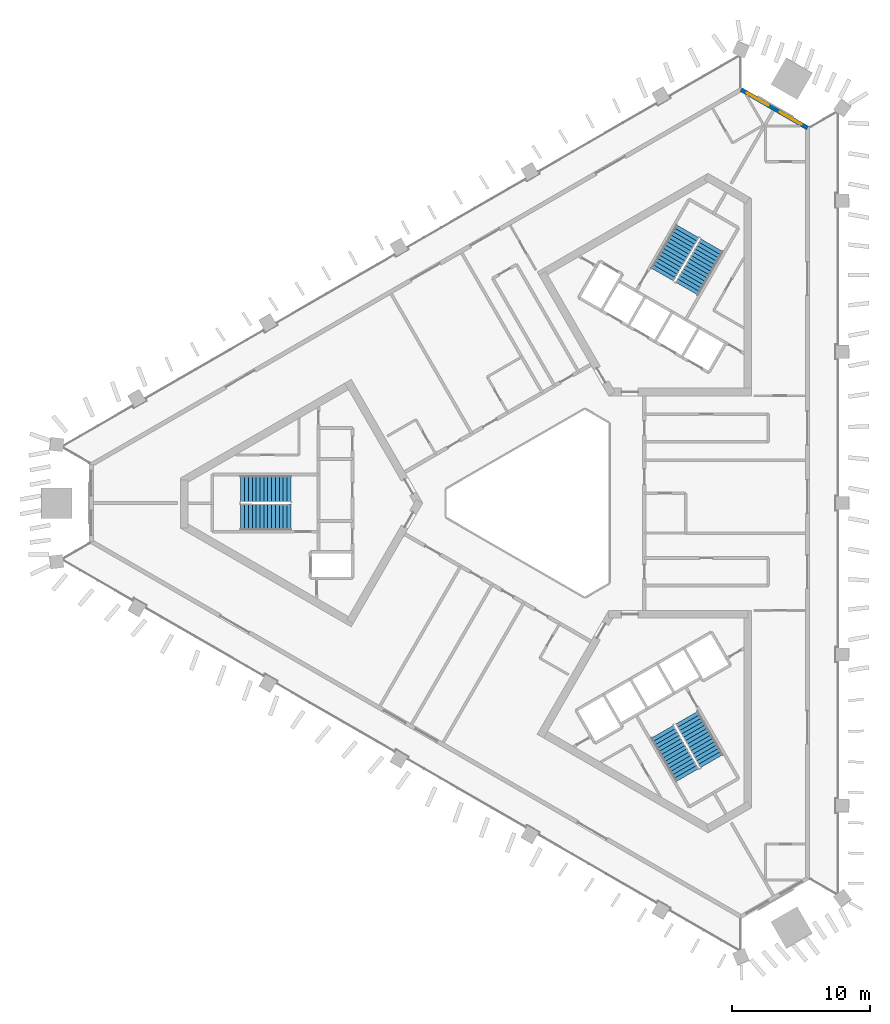
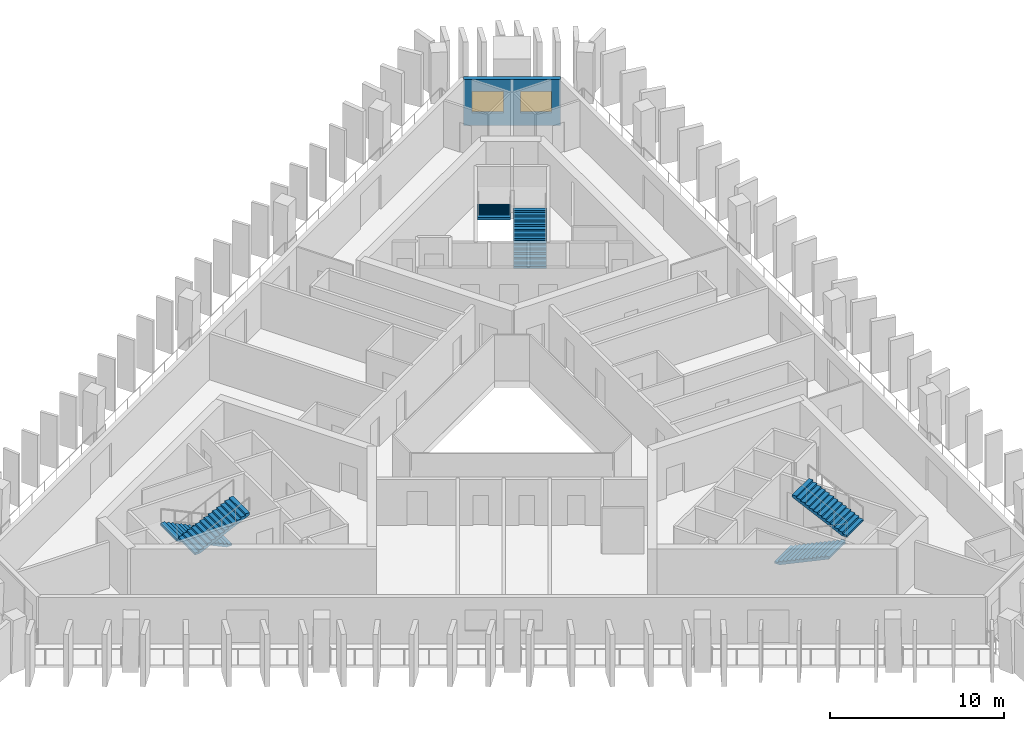
# One storey, part 6 of 10: 6 stair flights, 2 windows, 1 wall, 2 openings, 3 elements without a shape of their own.
"""IFC4 building model written with IfcOpenShell, lengths in metres."""

from ifc_helpers import new_model, si_unit, direction, frame, frame_2d, origin, place, context, subcontext, project, spatial, polyline, rectangle, outline, extrude, material, layer, layer_set, type_object, element, fill, aggregate, save


model = new_model("IFC4")

# Units and contexts
model_context = context("Model", 3, precision=1e-05, world=origin(), true_north=direction((0.0, 1.0)))
body_context = subcontext(model_context, "Body", "Model", "MODEL_VIEW")
ifc_project = project(units=[si_unit("LENGTHUNIT", "METRE"), si_unit("AREAUNIT", "SQUARE_METRE"), si_unit("VOLUMEUNIT", "CUBIC_METRE"), si_unit("PLANEANGLEUNIT", "RADIAN"), si_unit("MASSUNIT", "GRAM", prefix="KILO")], contexts=[model_context])

# Site, building, storey
site_placement = place(None, origin())
site = spatial("IfcSite", under=ifc_project, at=site_placement, CompositionType="ELEMENT")
building_placement = place(site_placement, origin())
building = spatial("IfcBuilding", under=site, at=building_placement, Name="Jabali Bay Hotel Tower and Convention Centre", CompositionType="ELEMENT")
storey_placement = place(building_placement, frame((0.0, 0.0, 156.300048828125)))
storey = spatial("IfcBuildingStorey", under=building, at=storey_placement, Name="L37", CompositionType="ELEMENT", Elevation=156.300048828125)

# Wall, openings, windows
ifc_material_1 = material(Name="Concrete C40", Category="concrete")
ifc_layer = layer(ifc_material_1, 0.300048828125)
ifc_layer_set = layer_set([ifc_layer], Name="Concrete C40")
wall_type = type_object("IfcWallType", Name="External wall 300", PredefinedType="SOLIDWALL", material=ifc_layer_set)
wall_placement = place(storey_placement, frame((89.12158203125, 110.034912109375, 0.0), z_axis=(0.0, 0.0, 1.0), x_axis=(0.866022249214, -0.500005463837, 0.0)))
wall = element("IfcWall", 1, at=wall_placement, inside=storey, type_object=wall_type, Name="External wall north-east chamfer L37", PredefinedType="SOLIDWALL", context=body_context, shape_type="SweptSolid", body=[
    extrude(rectangle(XDim=5.57568359375, YDim=0.300048828125, at=frame_2d((2.787841796875, 0.0))), origin(), (0.0, 0.0, 1.0), 3.25),
])
opening_1_placement = place(wall_placement, frame((3.26513671875, 0.0, 0.89990234375)))
opening_1 = element("IfcOpeningElement", 2, at=opening_1_placement, cuts=wall, Name="Opening W1", PredefinedType="OPENING", context=body_context, shape_type="SweptSolid", body=[
    extrude(rectangle(XDim=1.800048828125, YDim=1.5, at=frame_2d((0.89990234375, 0.75))), frame((0.0, 0.16064453125, 0.0), z_axis=(0.0, -1.0, 0.0), x_axis=(1.0, 0.0, 0.0)), (0.0, 0.0, 1.0), 0.321044921875),
])
opening_2_placement = place(wall_placement, frame((0.487060546875, 0.0, 0.89990234375)))
opening_2 = element("IfcOpeningElement", 3, at=opening_2_placement, cuts=wall, Name="Opening W1", PredefinedType="OPENING", context=body_context, shape_type="SweptSolid", body=[
    extrude(rectangle(XDim=1.800048828125, YDim=1.5, at=frame_2d((0.89990234375, 0.75))), frame((0.0, 0.16064453125, 0.0), z_axis=(0.0, -1.0, 0.0), x_axis=(1.0, 0.0, 0.0)), (0.0, 0.0, 1.0), 0.321044921875),
])
ifc_material_2 = material(Name="Glass", Category="glass")
window_type = type_object("IfcWindowType", Name="Window 1800 x 1500", PartitioningType="SINGLE_PANEL", PredefinedType="WINDOW", material=ifc_material_2)
window_1_placement = place(opening_1_placement, origin())
window_1 = element("IfcWindow", 4, at=window_1_placement, inside=storey, type_object=window_type, Name="Window 3704", OverallHeight=1.5, OverallWidth=1.800048828125, PartitioningType="SINGLE_PANEL", PredefinedType="WINDOW", context=body_context, shape_type="SweptSolid", body=[
    extrude(rectangle(XDim=1.800048828125, YDim=1.5, at=frame_2d((0.89990234375, 0.75))), frame((0.0, 0.030029296875, 0.0), z_axis=(0.0, -1.0, 0.0), x_axis=(1.0, 0.0, 0.0)), (0.0, 0.0, 1.0), 0.06005859375),
])
fill(opening_1, window_1)
window_2_placement = place(opening_2_placement, origin())
window_2 = element("IfcWindow", 5, at=window_2_placement, inside=storey, type_object=window_type, Name="Window 3706", OverallHeight=1.5, OverallWidth=1.800048828125, PartitioningType="SINGLE_PANEL", PredefinedType="WINDOW", context=body_context, shape_type="SweptSolid", body=[
    extrude(rectangle(XDim=1.800048828125, YDim=1.5, at=frame_2d((0.89990234375, 0.75))), frame((0.0, 0.030029296875, 0.0), z_axis=(0.0, -1.0, 0.0), x_axis=(1.0, 0.0, 0.0)), (0.0, 0.0, 1.0), 0.06005859375),
])
fill(opening_2, window_2)

# Stair, stair flights
stair_type = type_object("IfcStairType", Name="Exit stair 1900", PredefinedType="HALF_TURN_STAIR", material=ifc_material_1)
stair_1_placement = place(storey_placement, origin())
stair_1 = element("IfcStair", 6, at=stair_1_placement, inside=storey, type_object=stair_type, Name="L37 Exit Stair 1", PredefinedType="HALF_TURN_STAIR")
stair_flight_type = type_object("IfcStairFlightType", Name="Stair flight concrete 150", PredefinedType="STRAIGHT", material=ifc_material_1)
stair_flight_1_placement = place(storey_placement, frame((56.419921875, 81.02490234375, 0.0), z_axis=(0.0, 0.0, 1.0), x_axis=(-1.0, 0.0, 0.0)))
stair_flight_1 = element("IfcStairFlight", 7, at=stair_flight_1_placement, type_object=stair_flight_type, Name="ST1 flight 1", NumberOfRisers=14, NumberOfTreads=13, PredefinedType="STRAIGHT", RiserHeight=0.132142857, TreadLength=0.28, context=body_context, shape_type="SweptSolid", body=[
    extrude(outline(polyline([(0.0, 0.0), (0.0, 0.132080078125), (0.280029296875, 0.132080078125), (0.280029296875, 0.264404296875), (0.56005859375, 0.264404296875), (0.56005859375, 0.396484375), (0.840087890625, 0.396484375), (0.840087890625, 0.528564453125), (1.1201171875, 0.528564453125), (1.1201171875, 0.66064453125), (1.39990234375, 0.66064453125), (1.39990234375, 0.79296875), (1.679931640625, 0.79296875), (1.679931640625, 0.925048828125), (1.9599609375, 0.925048828125), (1.9599609375, 1.05712890625), (2.239990234375, 1.05712890625), (2.239990234375, 1.189208984375), (2.52001953125, 1.189208984375), (2.52001953125, 1.321533203125), (2.800048828125, 1.321533203125), (2.800048828125, 1.45361328125), (3.080078125, 1.45361328125), (3.080078125, 1.585693359375), (3.360107421875, 1.585693359375), (3.360107421875, 1.7177734375), (3.639892578125, 1.7177734375), (3.639892578125, 1.85009765625), (3.639892578125, 1.552001953125), (0.351318359375, 0.0), (0.0, 0.0)])), frame((0.0, 0.949951171875, 0.0), z_axis=(0.0, -1.0, 0.0), x_axis=(1.0, 0.0, 0.0)), (0.0, 0.0, 1.0), 1.89990234375),
])
stair_flight_2_placement = place(storey_placement, frame((52.780029296875, 78.97509765625, 1.849853515625), z_axis=(0.0, 0.0, 1.0), x_axis=(1.0, 0.0, 0.0)))
stair_flight_2 = element("IfcStairFlight", 8, at=stair_flight_2_placement, type_object=stair_flight_type, Name="ST1 flight 2", NumberOfRisers=14, NumberOfTreads=13, PredefinedType="STRAIGHT", RiserHeight=0.132142857, TreadLength=0.28, context=body_context, shape_type="SweptSolid", body=[
    extrude(outline(polyline([(0.0, 0.0), (0.0, 0.132080078125), (0.280029296875, 0.132080078125), (0.280029296875, 0.264404296875), (0.56005859375, 0.264404296875), (0.56005859375, 0.396484375), (0.840087890625, 0.396484375), (0.840087890625, 0.528564453125), (1.1201171875, 0.528564453125), (1.1201171875, 0.66064453125), (1.39990234375, 0.66064453125), (1.39990234375, 0.79296875), (1.679931640625, 0.79296875), (1.679931640625, 0.925048828125), (1.9599609375, 0.925048828125), (1.9599609375, 1.05712890625), (2.239990234375, 1.05712890625), (2.239990234375, 1.189208984375), (2.52001953125, 1.189208984375), (2.52001953125, 1.321533203125), (2.800048828125, 1.321533203125), (2.800048828125, 1.45361328125), (3.080078125, 1.45361328125), (3.080078125, 1.585693359375), (3.360107421875, 1.585693359375), (3.360107421875, 1.7177734375), (3.639892578125, 1.7177734375), (3.639892578125, 1.85009765625), (3.639892578125, 1.552001953125), (0.351318359375, 0.0), (0.0, 0.0)])), frame((0.0, 0.949951171875, 0.0), z_axis=(0.0, -1.0, 0.0), x_axis=(1.0, 0.0, 0.0)), (0.0, 0.0, 1.0), 1.89990234375),
])
aggregate(stair_1, [stair_flight_1, stair_flight_2])

stair_2_placement = place(storey_placement, origin())
stair_2 = element("IfcStair", 9, at=stair_2_placement, inside=storey, type_object=stair_type, Name="L37 Exit Stair 2", PredefinedType="HALF_TURN_STAIR")
stair_flight_3_placement = place(storey_placement, frame((85.177734375, 95.578369140625, 0.0), z_axis=(0.0, 0.0, 1.0), x_axis=(0.5, 0.866025403784, 0.0)))
stair_flight_3 = element("IfcStairFlight", 10, at=stair_flight_3_placement, type_object=stair_flight_type, Name="ST2 flight 1", NumberOfRisers=14, NumberOfTreads=13, PredefinedType="STRAIGHT", RiserHeight=0.132142857, TreadLength=0.28, context=body_context, shape_type="SweptSolid", body=[
    extrude(outline(polyline([(0.0, 0.0), (0.0, 0.132080078125), (0.280029296875, 0.132080078125), (0.280029296875, 0.264404296875), (0.56005859375, 0.264404296875), (0.56005859375, 0.396484375), (0.840087890625, 0.396484375), (0.840087890625, 0.528564453125), (1.1201171875, 0.528564453125), (1.1201171875, 0.66064453125), (1.39990234375, 0.66064453125), (1.39990234375, 0.79296875), (1.679931640625, 0.79296875), (1.679931640625, 0.925048828125), (1.9599609375, 0.925048828125), (1.9599609375, 1.05712890625), (2.239990234375, 1.05712890625), (2.239990234375, 1.189208984375), (2.52001953125, 1.189208984375), (2.52001953125, 1.321533203125), (2.800048828125, 1.321533203125), (2.800048828125, 1.45361328125), (3.080078125, 1.45361328125), (3.080078125, 1.585693359375), (3.360107421875, 1.585693359375), (3.360107421875, 1.7177734375), (3.639892578125, 1.7177734375), (3.639892578125, 1.85009765625), (3.639892578125, 1.552001953125), (0.351318359375, 0.0), (0.0, 0.0)])), frame((0.0, 0.949951171875, 0.0), z_axis=(0.0, -1.0, 0.0), x_axis=(1.0, 0.0, 0.0)), (0.0, 0.0, 1.0), 1.89990234375),
])
stair_flight_4_placement = place(storey_placement, frame((85.222412109375, 99.755615234375, 1.849853515625), z_axis=(0.0, 0.0, 1.0), x_axis=(-0.5, -0.866025403784, 0.0)))
stair_flight_4 = element("IfcStairFlight", 11, at=stair_flight_4_placement, type_object=stair_flight_type, Name="ST2 flight 2", NumberOfRisers=14, NumberOfTreads=13, PredefinedType="STRAIGHT", RiserHeight=0.132142857, TreadLength=0.28, context=body_context, shape_type="SweptSolid", body=[
    extrude(outline(polyline([(0.0, 0.0), (0.0, 0.132080078125), (0.280029296875, 0.132080078125), (0.280029296875, 0.264404296875), (0.56005859375, 0.264404296875), (0.56005859375, 0.396484375), (0.840087890625, 0.396484375), (0.840087890625, 0.528564453125), (1.1201171875, 0.528564453125), (1.1201171875, 0.66064453125), (1.39990234375, 0.66064453125), (1.39990234375, 0.79296875), (1.679931640625, 0.79296875), (1.679931640625, 0.925048828125), (1.9599609375, 0.925048828125), (1.9599609375, 1.05712890625), (2.239990234375, 1.05712890625), (2.239990234375, 1.189208984375), (2.52001953125, 1.189208984375), (2.52001953125, 1.321533203125), (2.800048828125, 1.321533203125), (2.800048828125, 1.45361328125), (3.080078125, 1.45361328125), (3.080078125, 1.585693359375), (3.360107421875, 1.585693359375), (3.360107421875, 1.7177734375), (3.639892578125, 1.7177734375), (3.639892578125, 1.85009765625), (3.639892578125, 1.552001953125), (0.351318359375, 0.0), (0.0, 0.0)])), frame((0.0, 0.949951171875, 0.0), z_axis=(0.0, -1.0, 0.0), x_axis=(1.0, 0.0, 0.0)), (0.0, 0.0, 1.0), 1.89990234375),
])
aggregate(stair_2, [stair_flight_3, stair_flight_4])

stair_3_placement = place(storey_placement, origin())
stair_3 = element("IfcStair", 12, at=stair_3_placement, inside=storey, type_object=stair_type, Name="L37 Exit Stair 3", PredefinedType="HALF_TURN_STAIR")
stair_flight_5_placement = place(storey_placement, frame((83.40234375, 63.396728515625, 0.0), z_axis=(0.0, 0.0, 1.0), x_axis=(0.5, -0.866025403784, 0.0)))
stair_flight_5 = element("IfcStairFlight", 13, at=stair_flight_5_placement, type_object=stair_flight_type, Name="ST3 flight 1", NumberOfRisers=14, NumberOfTreads=13, PredefinedType="STRAIGHT", RiserHeight=0.132142857, TreadLength=0.28, context=body_context, shape_type="SweptSolid", body=[
    extrude(outline(polyline([(0.0, 0.0), (0.0, 0.132080078125), (0.280029296875, 0.132080078125), (0.280029296875, 0.264404296875), (0.56005859375, 0.264404296875), (0.56005859375, 0.396484375), (0.840087890625, 0.396484375), (0.840087890625, 0.528564453125), (1.1201171875, 0.528564453125), (1.1201171875, 0.66064453125), (1.39990234375, 0.66064453125), (1.39990234375, 0.79296875), (1.679931640625, 0.79296875), (1.679931640625, 0.925048828125), (1.9599609375, 0.925048828125), (1.9599609375, 1.05712890625), (2.239990234375, 1.05712890625), (2.239990234375, 1.189208984375), (2.52001953125, 1.189208984375), (2.52001953125, 1.321533203125), (2.800048828125, 1.321533203125), (2.800048828125, 1.45361328125), (3.080078125, 1.45361328125), (3.080078125, 1.585693359375), (3.360107421875, 1.585693359375), (3.360107421875, 1.7177734375), (3.639892578125, 1.7177734375), (3.639892578125, 1.85009765625), (3.639892578125, 1.552001953125), (0.351318359375, 0.0), (0.0, 0.0)])), frame((0.0, 0.949951171875, 0.0), z_axis=(0.0, -1.0, 0.0), x_axis=(1.0, 0.0, 0.0)), (0.0, 0.0, 1.0), 1.89990234375),
])
stair_flight_6_placement = place(storey_placement, frame((86.99755859375, 61.26953125, 1.849853515625), z_axis=(0.0, 0.0, 1.0), x_axis=(-0.5, 0.866025403784, 0.0)))
stair_flight_6 = element("IfcStairFlight", 14, at=stair_flight_6_placement, type_object=stair_flight_type, Name="ST3 flight 2", NumberOfRisers=14, NumberOfTreads=13, PredefinedType="STRAIGHT", RiserHeight=0.132142857, TreadLength=0.28, context=body_context, shape_type="SweptSolid", body=[
    extrude(outline(polyline([(0.0, 0.0), (0.0, 0.132080078125), (0.280029296875, 0.132080078125), (0.280029296875, 0.264404296875), (0.56005859375, 0.264404296875), (0.56005859375, 0.396484375), (0.840087890625, 0.396484375), (0.840087890625, 0.528564453125), (1.1201171875, 0.528564453125), (1.1201171875, 0.66064453125), (1.39990234375, 0.66064453125), (1.39990234375, 0.79296875), (1.679931640625, 0.79296875), (1.679931640625, 0.925048828125), (1.9599609375, 0.925048828125), (1.9599609375, 1.05712890625), (2.239990234375, 1.05712890625), (2.239990234375, 1.189208984375), (2.52001953125, 1.189208984375), (2.52001953125, 1.321533203125), (2.800048828125, 1.321533203125), (2.800048828125, 1.45361328125), (3.080078125, 1.45361328125), (3.080078125, 1.585693359375), (3.360107421875, 1.585693359375), (3.360107421875, 1.7177734375), (3.639892578125, 1.7177734375), (3.639892578125, 1.85009765625), (3.639892578125, 1.552001953125), (0.351318359375, 0.0), (0.0, 0.0)])), frame((0.0, 0.949951171875, 0.0), z_axis=(0.0, -1.0, 0.0), x_axis=(1.0, 0.0, 0.0)), (0.0, 0.0, 1.0), 1.89990234375),
])
aggregate(stair_3, [stair_flight_5, stair_flight_6])

save(model, "model.ifc")
